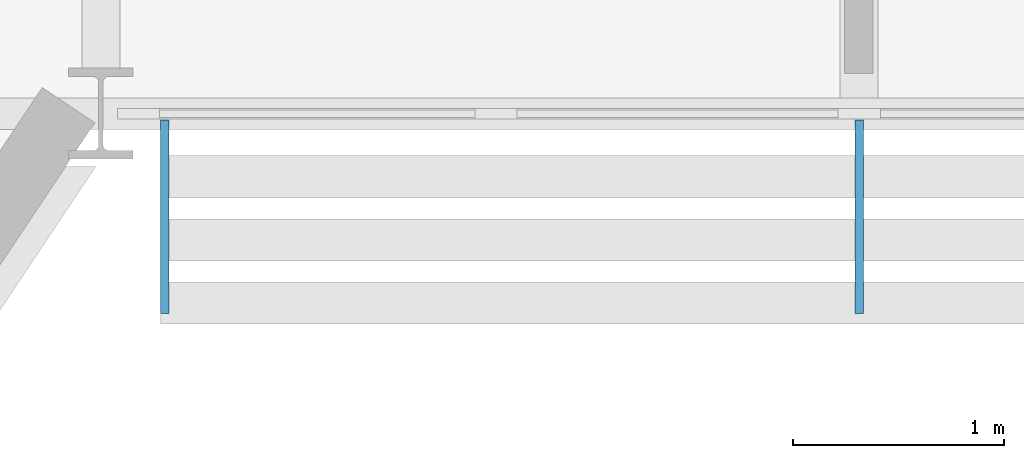
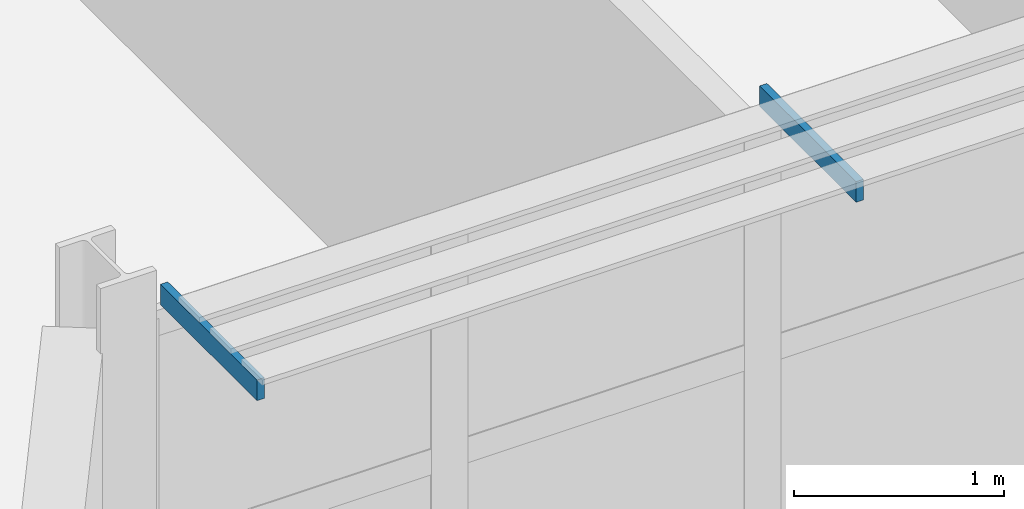
# One storey, part 97 of 124: 2 discrete accessories.
"""IFC4 building model written with IfcOpenShell, lengths in metres."""

import ifcopenshell
import ifcopenshell.guid

model = None  # the IFC model being written
_history = None  # IfcOwnerHistory: only IFC2X3 demands one
_inside = {}  # id of a spatial element -> (the spatial element, [elements in it])
_under = {}  # id of a project, library or spatial element -> (it, [spatial elements below it])
_declared = {}  # id of a project -> (the project, [libraries it declares])
_typed = {}  # id of a type object -> (the type object, [elements of that type])
_made_of = {}  # id of a material, layer set ... -> (it, [elements and type objects made of it])


def new_model(schema):
    """Start an empty IFC model of exactly this schema.

    Asked for "IFC4X3", IfcOpenShell would pick the latest addendum, in which some entities
    have other attributes; the version numbers below select the first issue.
    IFC2X3 requires an IfcOwnerHistory on every rooted entity: one is made here for all.
    """
    global model, _history
    if schema == "IFC4X3":
        model = ifcopenshell.file(schema_version=(4, 3, 0, 0))
    else:
        model = ifcopenshell.file(schema=schema)
    _inside.clear()
    _under.clear()
    _declared.clear()
    _typed.clear()
    _made_of.clear()
    _history = None
    if model.schema == "IFC2X3":
        org = make("IfcOrganization", Name="unknown")
        user = make(
            "IfcPersonAndOrganization",
            ThePerson=make("IfcPerson", FamilyName="unknown"),
            TheOrganization=org,
        )
        app = make(
            "IfcApplication",
            ApplicationDeveloper=org,
            Version="unknown",
            ApplicationFullName="unknown",
            ApplicationIdentifier="unknown",
        )
        _history = make(
            "IfcOwnerHistory",
            OwningUser=user,
            OwningApplication=app,
            ChangeAction="ADDED",
            CreationDate=0,
        )
    return model


def make(cls, **values):
    """One entity of the class cls with the attributes given. An attribute that is None is left unset."""
    return model.create_entity(
        cls, **{name: value for name, value in values.items() if value is not None}
    )


def rooted(cls, **values):
    """An entity with a GlobalId (a new one), such as an element, a storey or a relation."""
    return make(cls, GlobalId=ifcopenshell.guid.new(), OwnerHistory=_history, **values)


def si_unit(unit_type, name, prefix=None):
    """IfcSIUnit, for example si_unit("LENGTHUNIT", "METRE", prefix="MILLI")."""
    return make("IfcSIUnit", UnitType=unit_type, Prefix=prefix, Name=name)


def assignment(units):
    """IfcUnitAssignment: the units of a project."""
    return None if units is None else make("IfcUnitAssignment", Units=units)


def point(xyz):
    """IfcCartesianPoint."""
    return None if xyz is None else make("IfcCartesianPoint", Coordinates=xyz)


def direction(xyz):
    """IfcDirection."""
    return None if xyz is None else make("IfcDirection", DirectionRatios=xyz)


def frame(location, z_axis=None, x_axis=None):
    """IfcAxis2Placement3D, a coordinate frame: its origin and axes. An axis left out is left unset."""
    return make(
        "IfcAxis2Placement3D",
        Location=point(location),
        Axis=direction(z_axis),
        RefDirection=direction(x_axis),
    )


def frame_2d(location, x_axis=None):
    """IfcAxis2Placement2D, a coordinate frame in the plane: its origin and x axis."""
    return make(
        "IfcAxis2Placement2D", Location=point(location), RefDirection=direction(x_axis)
    )


def origin():
    """The frame at (0, 0, 0) with its axes left unset."""
    return frame((0.0, 0.0, 0.0))


def origin_2d():
    """The frame at (0, 0) in the plane with its x axis left unset."""
    return frame_2d((0.0, 0.0))


def place(relative_to, where):
    """IfcLocalPlacement: puts the frame where relative to a parent placement (None: the world)."""
    return make(
        "IfcLocalPlacement", PlacementRelTo=relative_to, RelativePlacement=where
    )


def context(
    kind, dimensions, precision=None, world=None, true_north=None, identifier=None
):
    """IfcGeometricRepresentationContext, for example the 3D "Model" context."""
    return make(
        "IfcGeometricRepresentationContext",
        ContextIdentifier=identifier,
        ContextType=kind,
        CoordinateSpaceDimension=dimensions,
        Precision=precision,
        WorldCoordinateSystem=world,
        TrueNorth=true_north,
    )


def subcontext(parent, identifier, kind, view, scale=None):
    """IfcGeometricRepresentationSubContext, for example "Body" below "Model"."""
    return make(
        "IfcGeometricRepresentationSubContext",
        ContextIdentifier=identifier,
        ContextType=kind,
        ParentContext=parent,
        TargetScale=scale,
        TargetView=view,
    )


def project(units=None, contexts=None):
    """IfcProject with its units and contexts."""
    return rooted(
        "IfcProject",
        Name="project",
        RepresentationContexts=contexts,
        UnitsInContext=assignment(units),
    )


def spatial(cls, under=None, at=None, **own):
    """A site, building, storey or space (cls), placed at a placement, below another one or the project."""
    s = rooted(cls, ObjectPlacement=at, **own)
    if under is not None:
        _under.setdefault(under.id(), (under, []))[1].append(s)
    return s


def profile(cls, at=None, kind="AREA", **sizes):
    """A parametric profile (cls). Its sizes go by their IFC names, for example OverallWidth=200.0."""
    return make(cls, ProfileType=kind, Position=at, **sizes)


def rectangle(**sizes):
    """IfcRectangleProfileDef."""
    return profile("IfcRectangleProfileDef", **sizes)


def extrude(swept, where, along, depth):
    """IfcExtrudedAreaSolid: the profile swept, set in the frame where, extruded along a direction by depth."""
    return make(
        "IfcExtrudedAreaSolid",
        SweptArea=swept,
        Position=where,
        ExtrudedDirection=direction(along),
        Depth=depth,
    )


def shape(context_of_items, identifier, shape_type, items):
    """IfcShapeRepresentation: the items that make up one representation, for example the "Body"."""
    return make(
        "IfcShapeRepresentation",
        ContextOfItems=context_of_items,
        RepresentationIdentifier=identifier,
        RepresentationType=shape_type,
        Items=items,
    )


def material(Name=None, Category=None):
    """IfcMaterial."""
    return make("IfcMaterial", Name=Name, Category=Category)


def layer(
    of_material, thickness, ventilated=None, Name=None, Category=None, Priority=None
):
    """IfcMaterialLayer: one layer of a wall or slab, of a material (None: an air gap)."""
    return make(
        "IfcMaterialLayer",
        Material=of_material,
        LayerThickness=thickness,
        IsVentilated=ventilated,
        Name=Name,
        Category=Category,
        Priority=Priority,
    )


def layer_set(layers, Name=None):
    """IfcMaterialLayerSet."""
    return make("IfcMaterialLayerSet", MaterialLayers=layers, LayerSetName=Name)


def made_of(thing, what):
    """Note that an element or type object is made of a material, layer set ...; save() writes the relation."""
    if what is not None:
        _made_of.setdefault(what.id(), (what, []))[1].append(thing)
    return thing


def type_object(cls, material=None, **own):
    """A type object (cls), such as IfcWallType, which elements share."""
    return made_of(rooted(cls, **own), material)


def element(
    cls,
    number,
    at=None,
    inside=None,
    cuts=None,
    type_object=None,
    material=None,
    context=None,
    identifier="Body",
    shape_type=None,
    held_by="IfcProductDefinitionShape",
    body=None,
    shapes=None,
    **own,
):
    """One element of the class cls, such as IfcWall. Its Tag is "e" and its number.

    at: its placement. inside: the storey or other place that contains it. cuts: it is an
    opening in that element (IfcRelVoidsElement). A single representation is given by context,
    identifier, shape_type and body (its items); several are given by shapes. held_by: the class
    of the entity that holds the representations. save() writes the other relations.
    """
    e = rooted(cls, Tag="e%d" % number, ObjectPlacement=at, **own)
    if body is not None:
        shapes = [shape(context, identifier, shape_type, body)]
    if shapes is not None:
        e.Representation = make(held_by, Representations=shapes)
    if inside is not None:
        _inside.setdefault(inside.id(), (inside, []))[1].append(e)
    if cuts is not None:
        rooted(
            "IfcRelVoidsElement", RelatingBuildingElement=cuts, RelatedOpeningElement=e
        )
    if type_object is not None:
        _typed.setdefault(type_object.id(), (type_object, []))[1].append(e)
    return made_of(e, material)


def aggregate(whole, parts):
    """IfcRelAggregates: a whole, such as a stair, and the parts it consists of."""
    return rooted("IfcRelAggregates", RelatingObject=whole, RelatedObjects=parts)


def save(model, path):
    """Write the relations noted so far, then the file.

    IfcRelAggregates (storeys below a building ...), IfcRelContainedInSpatialStructure (elements
    in a storey), IfcRelDefinesByType, IfcRelAssociatesMaterial and IfcRelDeclares: one each for
    every whole, place, type object, material and project.
    """
    for whole, parts in _under.values():
        aggregate(whole, parts)
    for where, things in _inside.values():
        rooted(
            "IfcRelContainedInSpatialStructure",
            RelatedElements=things,
            RelatingStructure=where,
        )
    for kind, things in _typed.values():
        rooted("IfcRelDefinesByType", RelatedObjects=things, RelatingType=kind)
    for what, things in _made_of.values():
        rooted("IfcRelAssociatesMaterial", RelatedObjects=things, RelatingMaterial=what)
    for by, libraries in _declared.values():
        rooted("IfcRelDeclares", RelatingContext=by, RelatedDefinitions=libraries)
    model.write(path)


model = new_model("IFC4")

# Units and contexts
model_context = context("Model", 3, precision=1e-05, world=origin(), true_north=direction((0.0, 1.0)))
body_context = subcontext(model_context, "Body", "Model", "MODEL_VIEW")
ifc_project = project(units=[si_unit("LENGTHUNIT", "METRE"), si_unit("AREAUNIT", "SQUARE_METRE"), si_unit("VOLUMEUNIT", "CUBIC_METRE"), si_unit("PLANEANGLEUNIT", "RADIAN"), si_unit("MASSUNIT", "GRAM", prefix="KILO")], contexts=[model_context])

# Site, building, storey
site_placement = place(None, origin())
site = spatial("IfcSite", under=ifc_project, at=site_placement, CompositionType="ELEMENT")
building_placement = place(site_placement, origin())
building = spatial("IfcBuilding", under=site, at=building_placement, Name="Kupolbacken Congress Centre", CompositionType="ELEMENT")
storey_placement = place(building_placement, frame((0.0, 0.0, 10.800048828125)))
storey = spatial("IfcBuildingStorey", under=building, at=storey_placement, Name="L03", CompositionType="ELEMENT", Elevation=10.800048828125)

# Discrete accessories
ifc_material = material(Name="Steel S355", Category="steel")
ifc_layer = layer(ifc_material, 0.011962890625)
ifc_layer_set = layer_set([ifc_layer], Name="Steel S355")
discrete_accessory_type = type_object("IfcDiscreteAccessoryType", Name="BK1 bracket 150 x 150 x 12", PredefinedType="BRACKET", material=ifc_layer_set)
for number, where, z_axis, x_axis, name in (
    (1, (129.903564453125, 121.909912109375, 3.239990234375), (0.0, 0.0, 1.0), (1.0, 0.0, 0.0), "Brise-soleil arm"),
    (2, (133.20166015625, 121.909912109375, 3.239990234375), (0.0, 0.0, 1.0), (1.0, 0.0, 0.0), "Brise-soleil arm"),
):
    element("IfcDiscreteAccessory", number, at=place(storey_placement, frame(where, z_axis=z_axis, x_axis=x_axis)), inside=storey, type_object=discrete_accessory_type, Name=name, PredefinedType="BRACKET", context=body_context, shape_type="SweptSolid", body=[
        extrude(rectangle(XDim=0.0400390625, YDim=0.919921875, at=origin_2d()), origin(), (0.0, 0.0, 1.0), 0.1201171875),
    ])

save(model, "model.ifc")
